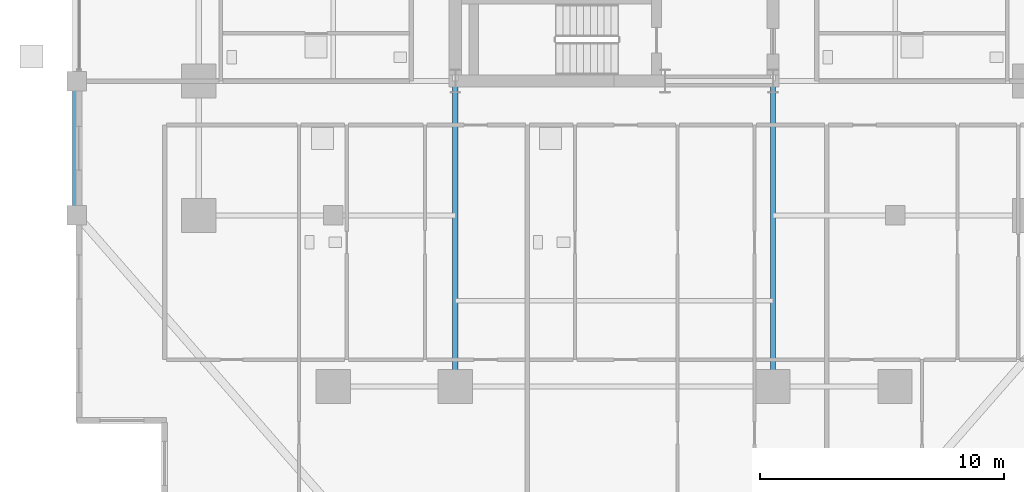
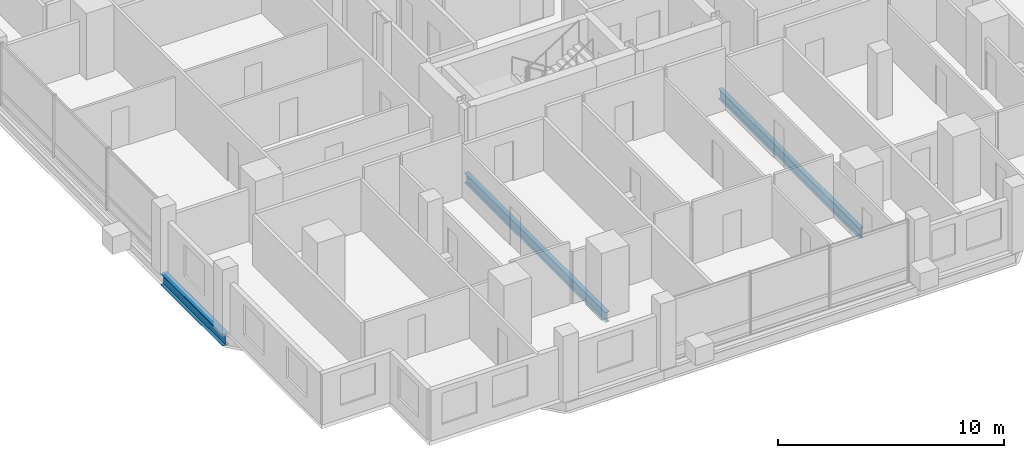
# One storey, part 3 of 24: 3 beams.
"""IFC4 building model written with IfcOpenShell, lengths in metres."""

from ifc_helpers import new_model, si_unit, direction, frame, origin, origin_2d, place, context, subcontext, project, spatial, i_section, extrude, material, material_profile, profile_set, type_object, element, save


model = new_model("IFC4")

# Units and contexts
model_context = context("Model", 3, precision=1e-05, world=origin(), true_north=direction((0.0, 1.0)))
body_context = subcontext(model_context, "Body", "Model", "MODEL_VIEW")
ifc_project = project(units=[si_unit("LENGTHUNIT", "METRE"), si_unit("AREAUNIT", "SQUARE_METRE"), si_unit("VOLUMEUNIT", "CUBIC_METRE"), si_unit("PLANEANGLEUNIT", "RADIAN"), si_unit("MASSUNIT", "GRAM", prefix="KILO")], contexts=[model_context])

# Site, building, storey
site_placement = place(None, origin())
site = spatial("IfcSite", under=ifc_project, at=site_placement, CompositionType="ELEMENT")
building_placement = place(site_placement, origin())
building = spatial("IfcBuilding", under=site, at=building_placement, Name="Barlavira Tower and Art Museum", CompositionType="ELEMENT")
storey_placement = place(building_placement, frame((0.0, 0.0, 43.199951171875)))
storey = spatial("IfcBuildingStorey", under=building, at=storey_placement, Name="L09", CompositionType="ELEMENT", Elevation=43.199951171875)

# Beams
ifc_material = material(Name="Steel S355", Category="steel")
ifc_material_profile_1 = material_profile(ifc_material, i_section(OverallWidth=0.327880859375, OverallDepth=0.62890625, WebThickness=0.013916015625, FlangeThickness=0.021484375, at=origin_2d()), Name="W610x174.0")
ifc_profile_set_1 = profile_set([ifc_material_profile_1], Name="Steel S355")
beam_type_1 = type_object("IfcBeamType", Name="Perimeter Spandrel Edge Beam W610x174 Steel S355", PredefinedType="SPANDREL", material=ifc_profile_set_1)
beam_placement = place(storey_placement, frame((-22.0, -13.0, -0.534423828125), z_axis=(0.0, 1.0, 0.0), x_axis=(-1.0, 0.0, 0.0)))
element("IfcBeam", 1, at=beam_placement, inside=storey, type_object=beam_type_1, Name="L09 Spandrel 15", PredefinedType="SPANDREL", context=body_context, shape_type="SweptSolid", body=[
    extrude(i_section(OverallWidth=0.327880859375, OverallDepth=0.62890625, WebThickness=0.013916015625, FlangeThickness=0.021484375, at=origin_2d()), origin(), (0.0, 0.0, 1.0), 5.5),
])
ifc_material_profile_2 = material_profile(ifc_material, i_section(OverallWidth=0.214111328125, OverallDepth=0.549072265625, WebThickness=0.0146484375, FlangeThickness=0.023681640625, at=origin_2d()), Name="W530x138.0")
ifc_profile_set_2 = profile_set([ifc_material_profile_2], Name="Steel S355")
beam_type_2 = type_object("IfcBeamType", Name="Zone 1 Primary Floor Girder W530x138 Steel S355", PredefinedType="BEAM", material=ifc_profile_set_2)
for number, where, z_axis, x_axis, name in (
    (2, (-6.5, -20.0, -0.494384765625), (0.0, 1.0, 0.0), (-1.0, 0.0, 0.0), "L09 Girder R-S1"),
    (3, (6.5, -20.0, -0.494384765625), (0.0, 1.0, 0.0), (-1.0, 0.0, 0.0), "L09 Girder R-S2"),
):
    element("IfcBeam", number, at=place(storey_placement, frame(where, z_axis=z_axis, x_axis=x_axis)), inside=storey, type_object=beam_type_2, Name=name, PredefinedType="BEAM", context=body_context, shape_type="SweptSolid", body=[
        extrude(i_section(OverallWidth=0.214111328125, OverallDepth=0.549072265625, WebThickness=0.0146484375, FlangeThickness=0.023681640625, at=origin_2d()), origin(), (0.0, 0.0, 1.0), 12.5),
    ])

save(model, "model.ifc")
